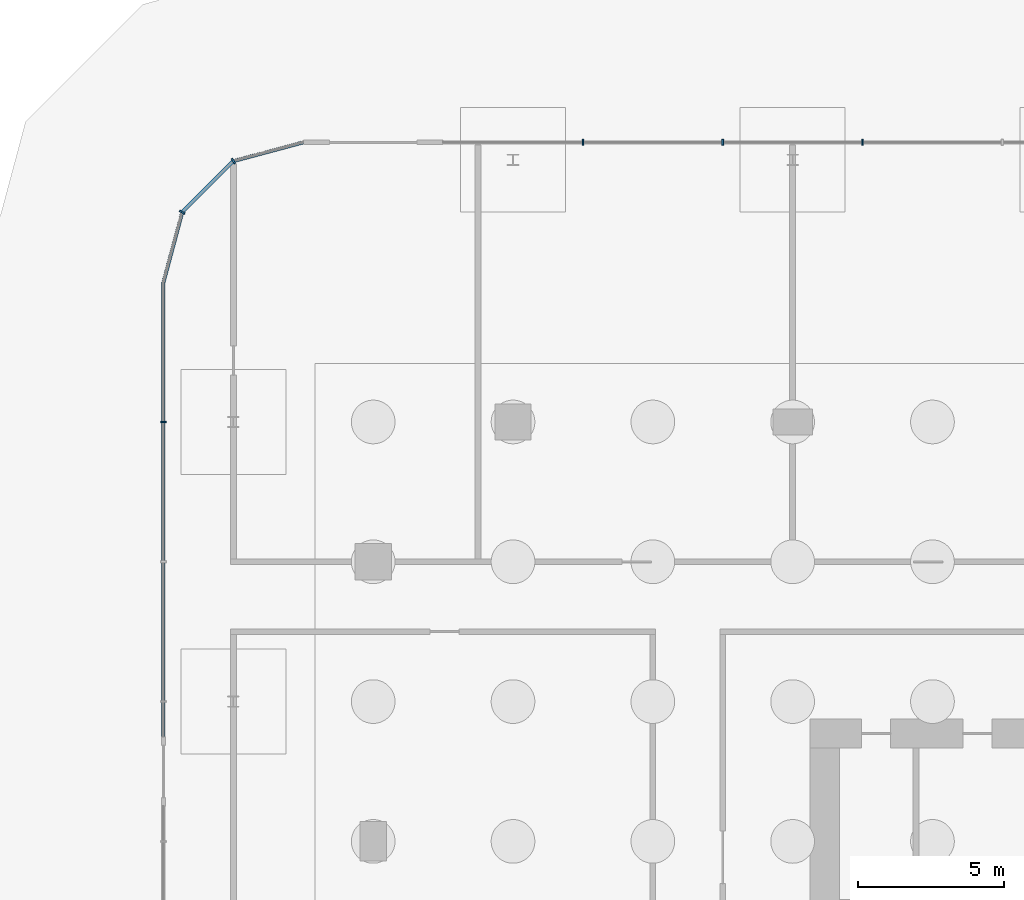
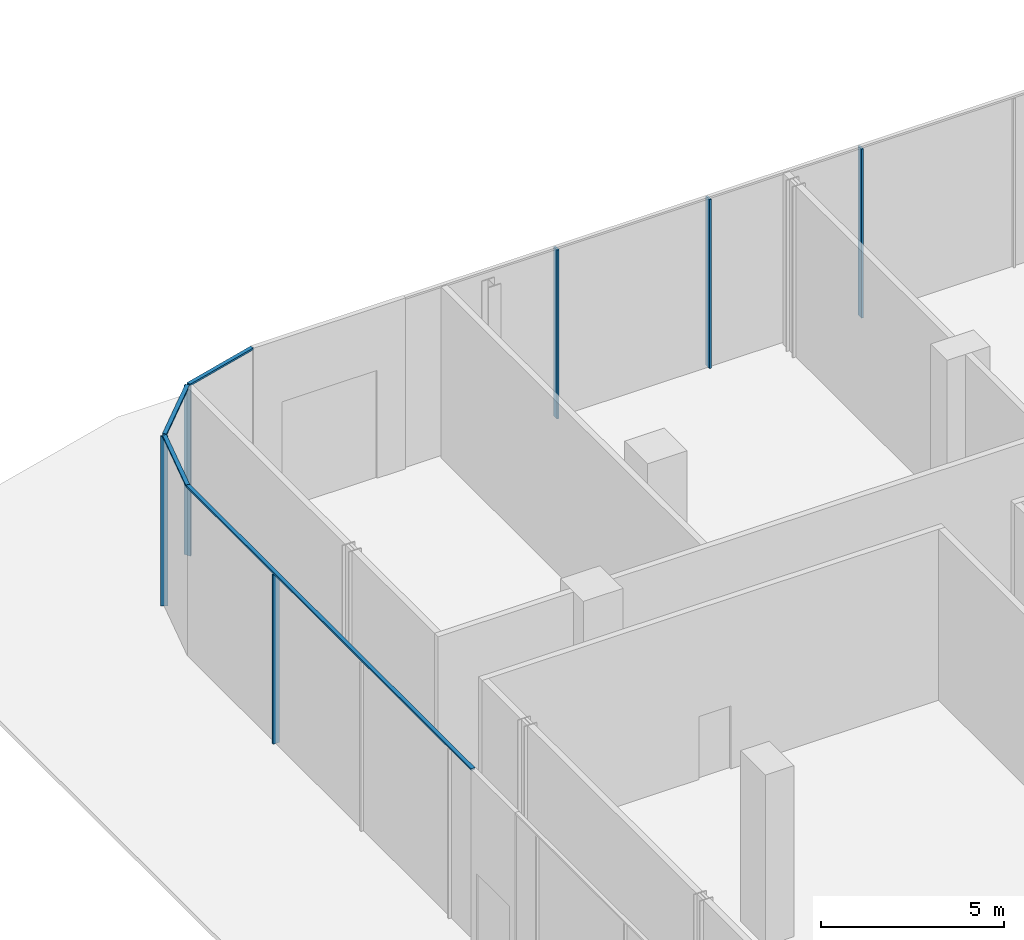
# One storey, part 14 of 44: 10 members, 3 elements without a shape of their own.
"""IFC4 building model written with IfcOpenShell, lengths in metres."""

from ifc_helpers import new_model, si_unit, direction, frame, origin, origin_2d, place, context, subcontext, project, spatial, rectangle, extrude, material, layer, layer_set, material_profile, profile_set, type_object, element, aggregate, save


model = new_model("IFC4")

# Units and contexts
model_context = context("Model", 3, precision=1e-05, world=origin(), true_north=direction((0.0, 1.0)))
body_context = subcontext(model_context, "Body", "Model", "MODEL_VIEW")
ifc_project = project(units=[si_unit("LENGTHUNIT", "METRE"), si_unit("AREAUNIT", "SQUARE_METRE"), si_unit("VOLUMEUNIT", "CUBIC_METRE"), si_unit("PLANEANGLEUNIT", "RADIAN"), si_unit("MASSUNIT", "GRAM", prefix="KILO")], contexts=[model_context])

# Site, building, storey
site_placement = place(None, origin())
site = spatial("IfcSite", under=ifc_project, at=site_placement, CompositionType="ELEMENT")
building_placement = place(site_placement, origin())
building = spatial("IfcBuilding", under=site, at=building_placement, Name="Madar Terraces", CompositionType="ELEMENT")
storey_placement = place(building_placement, origin())
storey = spatial("IfcBuildingStorey", under=building, at=storey_placement, Name="L00", CompositionType="ELEMENT", Elevation=0.0)

# Curtain wall, members
ifc_material_1 = material(Name="Glass, clear low-iron, with black aluminium frame", Category="aluminium")
ifc_layer = layer(ifc_material_1, 0.199951171875)
ifc_layer_set = layer_set([ifc_layer], Name="Facade curtain wall, shopfront glazing")
curtain_wall_type = type_object("IfcCurtainWallType", Name="Facade curtain wall, shopfront glazing", PredefinedType="NOTDEFINED", material=ifc_layer_set)
curtain_wall_1_placement = place(storey_placement, origin())
curtain_wall_1 = element("IfcCurtainWall", 1, at=curtain_wall_1_placement, inside=storey, type_object=curtain_wall_type, Name="Outer skin curtain wall north bay 1", PredefinedType="NOTDEFINED")
ifc_material_2 = material(Name="Aluminium, black anodised", Category="aluminium")
ifc_material_profile_1 = material_profile(ifc_material_2, rectangle(XDim=0.199951171875, YDim=0.06005859375, at=origin_2d()), Name="Facade mullion 60x200")
ifc_profile_set_1 = profile_set([ifc_material_profile_1], Name="Aluminium, black anodised")
member_type_1 = type_object("IfcMemberType", Name="Facade mullion 60x200", PredefinedType="MULLION", material=ifc_profile_set_1)
member_1_placement = place(storey_placement, frame((16.800048828125, 57.60009765625, 0.0), z_axis=(0.0, 0.0, 1.0), x_axis=(0.0, -1.0, 0.0)))
member_1 = element("IfcMember", 2, at=member_1_placement, type_object=member_type_1, Name="Mullion 10", PredefinedType="MULLION", context=body_context, shape_type="SweptSolid", body=[
    extrude(rectangle(XDim=0.199951171875, YDim=0.06005859375, at=origin_2d()), origin(), (0.0, 0.0, 1.0), 5.639892578125),
])
member_2_placement = place(storey_placement, frame((12.0, 57.60009765625, 0.0), z_axis=(0.0, 0.0, 1.0), x_axis=(0.0, -1.0, 0.0)))
member_2 = element("IfcMember", 3, at=member_2_placement, type_object=member_type_1, Name="Mullion 11", PredefinedType="MULLION", context=body_context, shape_type="SweptSolid", body=[
    extrude(rectangle(XDim=0.199951171875, YDim=0.06005859375, at=origin_2d()), origin(), (0.0, 0.0, 1.0), 5.639892578125),
])
member_3_placement = place(storey_placement, frame((7.199951171875, 57.60009765625, 0.0), z_axis=(0.0, 0.0, 1.0), x_axis=(0.0, -1.0, 0.0)))
member_3 = element("IfcMember", 4, at=member_3_placement, type_object=member_type_1, Name="Mullion 12", PredefinedType="MULLION", context=body_context, shape_type="SweptSolid", body=[
    extrude(rectangle(XDim=0.199951171875, YDim=0.06005859375, at=origin_2d()), origin(), (0.0, 0.0, 1.0), 5.639892578125),
])
aggregate(curtain_wall_1, [member_1, member_2, member_3])

# Curtain wall, member
curtain_wall_2_placement = place(storey_placement, origin())
curtain_wall_2 = element("IfcCurtainWall", 5, at=curtain_wall_2_placement, inside=storey, type_object=curtain_wall_type, Name="Outer skin curtain wall west bay 1", PredefinedType="NOTDEFINED")
member_4_placement = place(storey_placement, frame((-7.199951171875, 48.0, 0.0), z_axis=(0.0, 0.0, 1.0), x_axis=(1.0, 0.0, 0.0)))
member_4 = element("IfcMember", 6, at=member_4_placement, type_object=member_type_1, Name="Mullion 1", PredefinedType="MULLION", context=body_context, shape_type="SweptSolid", body=[
    extrude(rectangle(XDim=0.199951171875, YDim=0.06005859375, at=origin_2d()), origin(), (0.0, 0.0, 1.0), 5.639892578125),
])

# Curtain wall, members
curtain_wall_3_placement = place(storey_placement, origin())
curtain_wall_3 = element("IfcCurtainWall", 7, at=curtain_wall_3_placement, inside=storey, type_object=curtain_wall_type, Name="Outer skin curtain wall north-west corner", PredefinedType="NOTDEFINED")
member_5_placement = place(storey_placement, frame((-4.800048828125, 56.95703125, 0.0), z_axis=(0.0, 0.0, 1.0), x_axis=(0.499999989586, -0.866025409797, 0.0)))
member_5 = element("IfcMember", 8, at=member_5_placement, type_object=member_type_1, Name="Mullion 1", PredefinedType="MULLION", context=body_context, shape_type="SweptSolid", body=[
    extrude(rectangle(XDim=0.199951171875, YDim=0.06005859375, at=origin_2d()), origin(), (0.0, 0.0, 1.0), 5.639892578125),
])
member_6_placement = place(storey_placement, frame((-6.556884765625, 55.199951171875, 0.0), z_axis=(0.0, 0.0, 1.0), x_axis=(0.866025409797, -0.499999989586, 0.0)))
member_6 = element("IfcMember", 9, at=member_6_placement, type_object=member_type_1, Name="Mullion 2", PredefinedType="MULLION", context=body_context, shape_type="SweptSolid", body=[
    extrude(rectangle(XDim=0.199951171875, YDim=0.06005859375, at=origin_2d()), origin(), (0.0, 0.0, 1.0), 5.639892578125),
])

# Member
ifc_material_3 = material(Name="Aluminium, black anodised", Category="aluminium")
ifc_material_profile_2 = material_profile(ifc_material_3, rectangle(XDim=0.1201171875, YDim=0.06005859375, at=origin_2d()), Name="Facade transom 60x120")
ifc_profile_set_2 = profile_set([ifc_material_profile_2], Name="Aluminium, black anodised")
member_type_2 = type_object("IfcMemberType", Name="Facade transom 60x120", PredefinedType="USERDEFINED", material=ifc_profile_set_2)
member_7_placement = place(storey_placement, frame((-7.199951171875, 52.800048828125, 5.669921875), z_axis=(0.0, -1.0, 0.0), x_axis=(1.0, 0.0, 0.0)))
member_7 = element("IfcMember", 10, at=member_7_placement, type_object=member_type_2, Name="Transom 1", ObjectType="TRANSOM", PredefinedType="USERDEFINED", context=body_context, shape_type="SweptSolid", body=[
    extrude(rectangle(XDim=0.1201171875, YDim=0.06005859375, at=origin_2d()), origin(), (0.0, 0.0, 1.0), 15.60009765625),
])

aggregate(curtain_wall_2, [member_4, member_7])

member_8_placement = place(storey_placement, frame((-2.39990234375, 57.60009765625, 5.669921875), z_axis=(-0.965908980432, -0.258881906514, 0.0), x_axis=(0.258881906514, -0.965908980432, 0.0)))
member_8 = element("IfcMember", 11, at=member_8_placement, type_object=member_type_2, Name="Transom 1", ObjectType="TRANSOM", PredefinedType="USERDEFINED", context=body_context, shape_type="SweptSolid", body=[
    extrude(rectangle(XDim=0.1201171875, YDim=0.06005859375, at=origin_2d()), origin(), (0.0, 0.0, 1.0), 2.454833984375),
])

member_9_placement = place(storey_placement, frame((-4.8212890625, 56.935791015625, 5.669921875), z_axis=(-0.707056433593, -0.707157125196, 0.0), x_axis=(0.707157125196, -0.707056433593, 0.0)))
member_9 = element("IfcMember", 12, at=member_9_placement, type_object=member_type_2, Name="Transom 2", ObjectType="TRANSOM", PredefinedType="USERDEFINED", context=body_context, shape_type="SweptSolid", body=[
    extrude(rectangle(XDim=0.1201171875, YDim=0.06005859375, at=origin_2d()), origin(), (0.0, 0.0, 1.0), 2.424560546875),
])

member_10_placement = place(storey_placement, frame((-6.564697265625, 55.171142578125, 5.669921875), z_axis=(-0.258789113195, -0.965933846022, 0.0), x_axis=(0.965933846022, -0.258789113195, 0.0)))
member_10 = element("IfcMember", 13, at=member_10_placement, type_object=member_type_2, Name="Transom 3", ObjectType="TRANSOM", PredefinedType="USERDEFINED", context=body_context, shape_type="SweptSolid", body=[
    extrude(rectangle(XDim=0.1201171875, YDim=0.06005859375, at=origin_2d()), origin(), (0.0, 0.0, 1.0), 2.454833984375),
])

aggregate(curtain_wall_3, [member_5, member_8, member_6, member_9, member_10])

save(model, "model.ifc")
